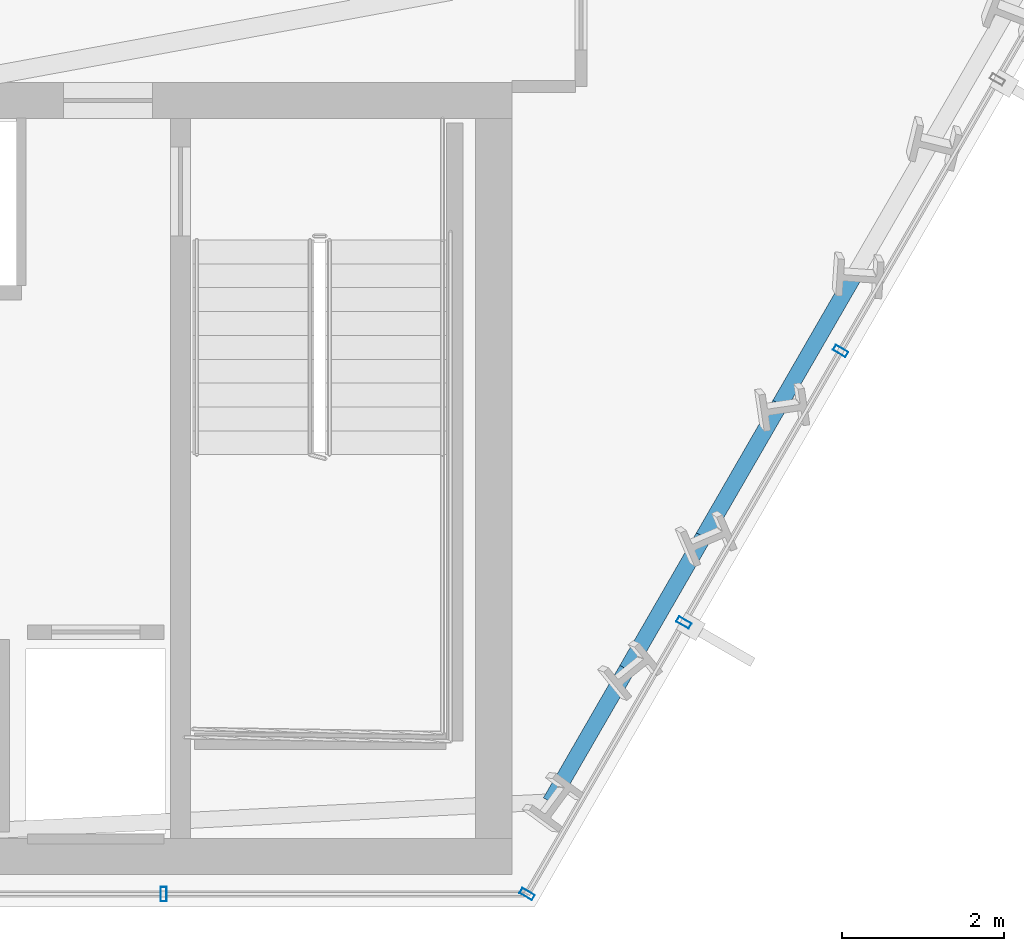
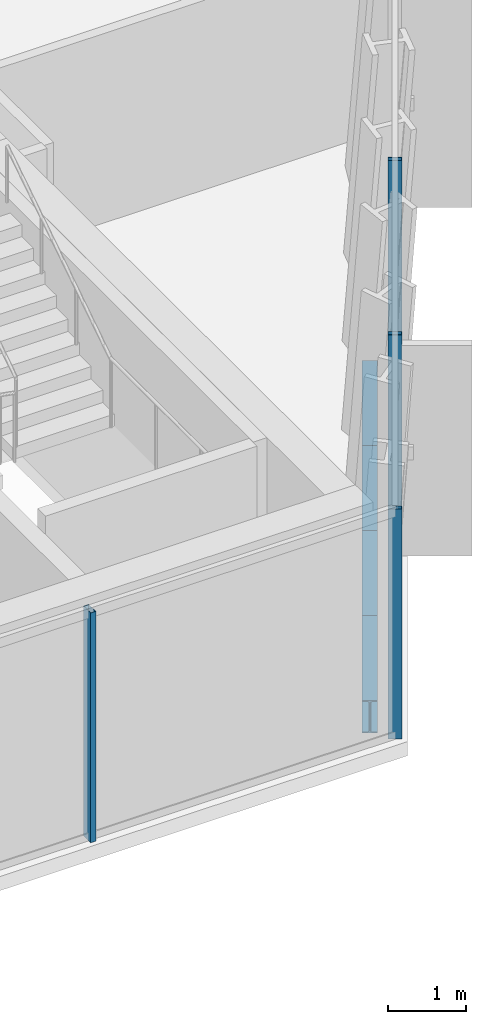
# One storey, part 15 of 32: 4 beams, 4 members, 2 elements without a shape of their own.
"""IFC4 building model written with IfcOpenShell, lengths in metres."""

from ifc_helpers import new_model, si_unit, direction, frame, origin, origin_2d, place, context, subcontext, project, spatial, hollow_rectangle, i_section, extrude, material, layer, layer_set, material_profile, profile_set, type_object, element, aggregate, save


model = new_model("IFC4")

# Units and contexts
model_context = context("Model", 3, precision=1e-05, world=origin(), true_north=direction((0.0, 1.0)))
body_context = subcontext(model_context, "Body", "Model", "MODEL_VIEW")
ifc_project = project(units=[si_unit("LENGTHUNIT", "METRE"), si_unit("AREAUNIT", "SQUARE_METRE"), si_unit("VOLUMEUNIT", "CUBIC_METRE"), si_unit("PLANEANGLEUNIT", "RADIAN"), si_unit("MASSUNIT", "GRAM", prefix="KILO")], contexts=[model_context])

# Site, building, storey
site_placement = place(None, origin())
site = spatial("IfcSite", under=ifc_project, at=site_placement, CompositionType="ELEMENT")
building_placement = place(site_placement, origin())
building = spatial("IfcBuilding", under=site, at=building_placement, Name="Ndaravel Arena Tower", CompositionType="ELEMENT")
storey_placement = place(building_placement, frame((0.0, 0.0, 66.39990234375)))
storey = spatial("IfcBuildingStorey", under=building, at=storey_placement, Name="L14", CompositionType="ELEMENT", Elevation=66.39990234375)

# Beams
ifc_material_1 = material(Name="Steel S355", Category="steel")
ifc_material_profile_1 = material_profile(ifc_material_1, i_section(OverallWidth=0.199951171875, OverallDepth=0.5, WebThickness=0.01025390625, FlangeThickness=0.01611328125, FilletRadius=0.02099609375, at=origin_2d()), Name="IPE 500")
ifc_profile_set_1 = profile_set([ifc_material_profile_1], Name="Steel S355")
beam_type = type_object("IfcBeamType", Name="BM-SPAN-IPE500", PredefinedType="SPANDREL", material=ifc_profile_set_1)
beam_1_placement = place(storey_placement, frame((58.0234375, 6.299560546875, -0.469970703125), z_axis=(0.50000898992, 0.86602021339, 0.0), x_axis=(-0.86602021339, 0.50000898992, 0.0)))
element("IfcBeam", 1, at=beam_1_placement, inside=storey, type_object=beam_type, Name="L14 Perimeter Spandrel Beam SP-02", PredefinedType="SPANDREL", context=body_context, shape_type="SweptSolid", body=[
    extrude(i_section(OverallWidth=0.199951171875, OverallDepth=0.5, WebThickness=0.01025390625, FlangeThickness=0.01611328125, FilletRadius=0.02099609375, at=origin_2d()), origin(), (0.0, 0.0, 1.0), 1.89306640625),
])
beam_2_placement = place(storey_placement, frame((58.969970703125, 7.93896484375, -0.469970703125), z_axis=(0.499968102766, 0.866043818878, 0.0), x_axis=(-0.866043818878, 0.499968102766, 0.0)))
element("IfcBeam", 2, at=beam_2_placement, inside=storey, type_object=beam_type, Name="L14 Perimeter Spandrel Beam SP-03", PredefinedType="SPANDREL", context=body_context, shape_type="SweptSolid", body=[
    extrude(i_section(OverallWidth=0.199951171875, OverallDepth=0.5, WebThickness=0.01025390625, FlangeThickness=0.01611328125, FilletRadius=0.02099609375, at=origin_2d()), origin(), (0.0, 0.0, 1.0), 1.892578125),
])
for number, where, z_axis, x_axis, name in (
    (3, (59.916259765625, 9.578125, -0.469970703125), (0.500064840575, 0.865987964824, 0.0), (-0.865987964824, 0.500064840575, 0.0), "L14 Perimeter Spandrel Beam SP-04"),
    (4, (60.86279296875, 11.21728515625, -0.469970703125), (0.499912255713, 0.866076057046, 0.0), (-0.866076057046, 0.499912255713, 0.0), "L14 Perimeter Spandrel Beam SP-05"),
):
    element("IfcBeam", number, at=place(storey_placement, frame(where, z_axis=z_axis, x_axis=x_axis)), inside=storey, type_object=beam_type, Name=name, PredefinedType="SPANDREL", context=body_context, shape_type="SweptSolid", body=[
        extrude(i_section(OverallWidth=0.199951171875, OverallDepth=0.5, WebThickness=0.01025390625, FlangeThickness=0.01611328125, FilletRadius=0.02099609375, at=origin_2d()), origin(), (0.0, 0.0, 1.0), 1.892822265625),
    ])

# Curtain wall, member
ifc_material_2 = material(Name="Aluminium", Category="aluminium")
ifc_layer_1 = layer(ifc_material_2, 0.179931640625)
ifc_layer_set_1 = layer_set([ifc_layer_1], Name="Aluminium")
curtain_wall_type_1 = type_object("IfcCurtainWallType", Name="CW-SYS-03", PredefinedType="NOTDEFINED", material=ifc_layer_set_1)
curtain_wall_1_placement = place(storey_placement, origin())
curtain_wall_1 = element("IfcCurtainWall", 5, at=curtain_wall_1_placement, inside=storey, type_object=curtain_wall_type_1, Name="L14 Faceted Crystal Curtain Wall CW-L14-E01", PredefinedType="NOTDEFINED")
ifc_material_3 = material(Name="Aluminium", Category="aluminium")
ifc_material_profile_2 = material_profile(ifc_material_3, hollow_rectangle(XDim=0.074951171875, YDim=0.179931640625, WallThickness=0.00390625, at=origin_2d()), Name="CW MULLION 75x180x4")
ifc_profile_set_2 = profile_set([ifc_material_profile_2], Name="Aluminium")
member_type = type_object("IfcMemberType", Name="MEM-CW-MUL180", PredefinedType="MULLION", material=ifc_profile_set_2)
member_1_placement = place(storey_placement, frame((53.2392578125, 5.159912109375, 0.0), z_axis=(0.0, 0.0, 1.0), x_axis=(1.0, 0.0, 0.0)))
member_1 = element("IfcMember", 6, at=member_1_placement, type_object=member_type, Name="CW-L14-E01 Mullion 06", PredefinedType="MULLION", context=body_context, shape_type="SweptSolid", body=[
    extrude(hollow_rectangle(XDim=0.074951171875, YDim=0.179931640625, WallThickness=0.00390625, at=origin_2d()), origin(), (0.0, 0.0, 1.0), 3.580078125),
])
aggregate(curtain_wall_1, [member_1])

# Curtain wall, members
ifc_material_4 = material(Name="Aluminium", Category="aluminium")
ifc_layer_2 = layer(ifc_material_4, 0.179931640625)
ifc_layer_set_2 = layer_set([ifc_layer_2], Name="Aluminium")
curtain_wall_type_2 = type_object("IfcCurtainWallType", Name="CW-SYS-01", PredefinedType="NOTDEFINED", material=ifc_layer_set_2)
curtain_wall_2_placement = place(storey_placement, origin())
curtain_wall_2 = element("IfcCurtainWall", 7, at=curtain_wall_2_placement, inside=storey, type_object=curtain_wall_type_2, Name="L14 Faceted Crystal Curtain Wall CW-L14-E02", PredefinedType="NOTDEFINED")
member_2_placement = place(storey_placement, frame((57.735107421875, 5.159912109375, 0.0), z_axis=(0.0, 0.0, 1.0), x_axis=(0.5, 0.866025403784, 0.0)))
member_2 = element("IfcMember", 8, at=member_2_placement, type_object=member_type, Name="CW-L14-E02 Mullion 00", PredefinedType="MULLION", context=body_context, shape_type="SweptSolid", body=[
    extrude(hollow_rectangle(XDim=0.074951171875, YDim=0.179931640625, WallThickness=0.00390625, at=origin_2d()), origin(), (0.0, 0.0, 1.0), 3.580078125),
])
member_3_placement = place(storey_placement, frame((59.674072265625, 8.5185546875, 0.0), z_axis=(0.0, 0.0, 1.0), x_axis=(0.5, 0.866025403784, 0.0)))
member_3 = element("IfcMember", 9, at=member_3_placement, type_object=member_type, Name="CW-L14-E02 Mullion 01", PredefinedType="MULLION", context=body_context, shape_type="SweptSolid", body=[
    extrude(hollow_rectangle(XDim=0.074951171875, YDim=0.179931640625, WallThickness=0.00390625, at=origin_2d()), origin(), (0.0, 0.0, 1.0), 3.580078125),
])
member_4_placement = place(storey_placement, frame((61.613037109375, 11.876953125, 0.0), z_axis=(0.0, 0.0, 1.0), x_axis=(0.5, 0.866025403784, 0.0)))
member_4 = element("IfcMember", 10, at=member_4_placement, type_object=member_type, Name="CW-L14-E02 Mullion 02", PredefinedType="MULLION", context=body_context, shape_type="SweptSolid", body=[
    extrude(hollow_rectangle(XDim=0.074951171875, YDim=0.179931640625, WallThickness=0.00390625, at=origin_2d()), origin(), (0.0, 0.0, 1.0), 3.580078125),
])
aggregate(curtain_wall_2, [member_2, member_3, member_4])

save(model, "model.ifc")
